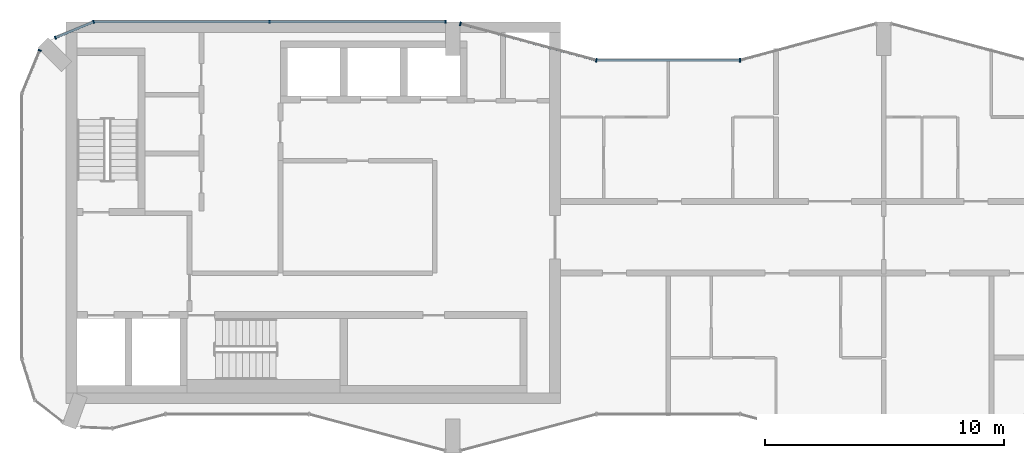
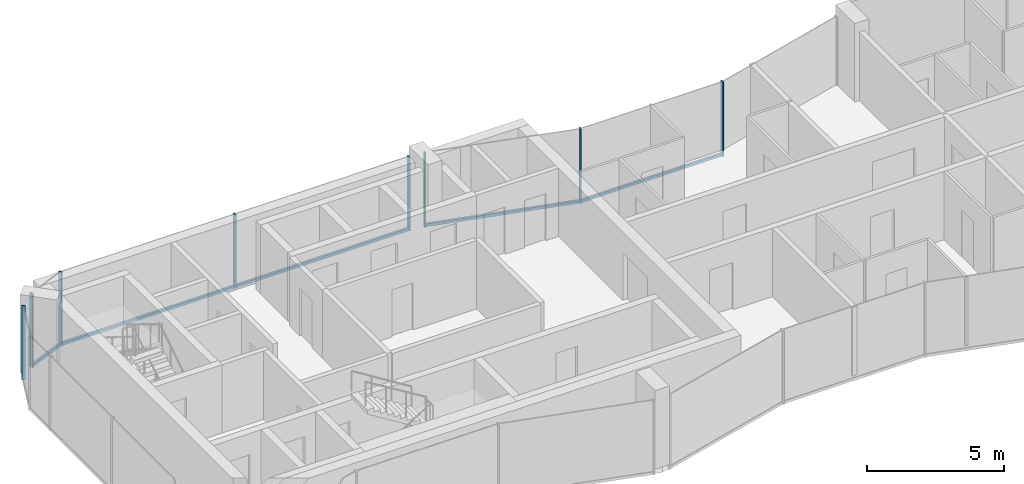
# One storey, part 4 of 10: 12 members, 5 elements without a shape of their own.
"""IFC4 building model written with IfcOpenShell, lengths in metres."""

from ifc_helpers import new_model, si_unit, direction, frame, origin, origin_2d, place, context, subcontext, project, spatial, rectangle, extrude, material, layer, layer_set, material_profile, profile_set, type_object, element, aggregate, save


model = new_model("IFC4")

# Units and contexts
model_context = context("Model", 3, precision=1e-05, world=origin(), true_north=direction((0.0, 1.0)))
body_context = subcontext(model_context, "Body", "Model", "MODEL_VIEW")
ifc_project = project(units=[si_unit("LENGTHUNIT", "METRE"), si_unit("AREAUNIT", "SQUARE_METRE"), si_unit("VOLUMEUNIT", "CUBIC_METRE"), si_unit("PLANEANGLEUNIT", "RADIAN"), si_unit("MASSUNIT", "GRAM", prefix="KILO")], contexts=[model_context])

# Site, building, storey
site_placement = place(None, origin())
site = spatial("IfcSite", under=ifc_project, at=site_placement, CompositionType="ELEMENT")
building_placement = place(site_placement, origin())
building = spatial("IfcBuilding", under=site, at=building_placement, Name="Plateau Cross Towers", CompositionType="ELEMENT")
storey_placement = place(building_placement, frame((0.0, 0.0, 284.39990234375)))
storey = spatial("IfcBuildingStorey", under=building, at=storey_placement, Name="L75", CompositionType="ELEMENT", Elevation=284.39990234375)

# Curtain wall, members
ifc_material_1 = material(Name="Dark low-iron glass", Category="glass")
ifc_layer_1 = layer(ifc_material_1, 0.239990234375)
ifc_layer_set_1 = layer_set([ifc_layer_1], Name="Dark low-iron glass")
curtain_wall_type_1 = type_object("IfcCurtainWallType", Name="Curtain wall flush unitised CW-B", PredefinedType="NOTDEFINED", material=ifc_layer_set_1)
curtain_wall_1_placement = place(storey_placement, origin())
curtain_wall_1 = element("IfcCurtainWall", 1, at=curtain_wall_1_placement, inside=storey, type_object=curtain_wall_type_1, Name="ENV/A/L75/A177_180", PredefinedType="NOTDEFINED")
ifc_material_2 = material(Name="Black anodised aluminium", Category="aluminium")
ifc_material_profile_1 = material_profile(ifc_material_2, rectangle(XDim=0.06005859375, YDim=0.139892578125, at=origin_2d()), Name="MULLION 60x140")
ifc_profile_set_1 = profile_set([ifc_material_profile_1], Name="Black anodised aluminium")
member_type_1 = type_object("IfcMemberType", Name="Mullion 60x140 flush unitised", PredefinedType="MULLION", material=ifc_profile_set_1)
member_1_placement = place(storey_placement, frame((17.699951171875, 18.0, -0.25), z_axis=(0.0, 0.0, 1.0), x_axis=(-1.0, 0.0, 0.0)))
member_1 = element("IfcMember", 2, at=member_1_placement, type_object=member_type_1, Name="CW-B mullion 1", PredefinedType="MULLION", context=body_context, shape_type="SweptSolid", body=[
    extrude(rectangle(XDim=0.06005859375, YDim=0.139892578125, at=origin_2d()), origin(), (0.0, 0.0, 1.0), 3.300048828125),
])
member_2_placement = place(storey_placement, frame((10.35009765625, 18.0, -0.25), z_axis=(0.0, 0.0, 1.0), x_axis=(-1.0, 0.0, 0.0)))
member_2 = element("IfcMember", 3, at=member_2_placement, type_object=member_type_1, Name="CW-B mullion 2", PredefinedType="MULLION", context=body_context, shape_type="SweptSolid", body=[
    extrude(rectangle(XDim=0.06005859375, YDim=0.139892578125, at=origin_2d()), origin(), (0.0, 0.0, 1.0), 3.300048828125),
])

curtain_wall_2_placement = place(storey_placement, origin())
curtain_wall_2 = element("IfcCurtainWall", 4, at=curtain_wall_2_placement, inside=storey, type_object=curtain_wall_type_1, Name="ENV/A/L75/A30_180", PredefinedType="NOTDEFINED")
member_3_placement = place(storey_placement, frame((3.0, 18.0, -0.25), z_axis=(0.0, 0.0, 1.0), x_axis=(-0.923879457699, -0.382683612978, 0.0)))
member_3 = element("IfcMember", 5, at=member_3_placement, type_object=member_type_1, Name="CW-B mullion 1", PredefinedType="MULLION", context=body_context, shape_type="SweptSolid", body=[
    extrude(rectangle(XDim=0.06005859375, YDim=0.139892578125, at=origin_2d()), origin(), (0.0, 0.0, 1.0), 3.300048828125),
])
member_4_placement = place(storey_placement, frame((1.4033203125, 17.338623046875, -0.25), z_axis=(0.0, 0.0, 1.0), x_axis=(-0.923879457699, -0.382683612978, 0.0)))
member_4 = element("IfcMember", 6, at=member_4_placement, type_object=member_type_1, Name="CW-B mullion 2", PredefinedType="MULLION", context=body_context, shape_type="SweptSolid", body=[
    extrude(rectangle(XDim=0.06005859375, YDim=0.139892578125, at=origin_2d()), origin(), (0.0, 0.0, 1.0), 3.300048828125),
])

# Curtain wall, member
curtain_wall_3_placement = place(storey_placement, origin())
curtain_wall_3 = element("IfcCurtainWall", 7, at=curtain_wall_3_placement, inside=storey, type_object=curtain_wall_type_1, Name="ENV/A/L75/A7_168", PredefinedType="NOTDEFINED")
member_5_placement = place(storey_placement, frame((0.748046875, 16.805908203125, -0.25), z_axis=(0.0, 0.0, 1.0), x_axis=(-0.382683612978, -0.923879457699, 0.0)))
member_5 = element("IfcMember", 8, at=member_5_placement, type_object=member_type_1, Name="CW-B mullion 1", PredefinedType="MULLION", context=body_context, shape_type="SweptSolid", body=[
    extrude(rectangle(XDim=0.06005859375, YDim=0.139892578125, at=origin_2d()), origin(), (0.0, 0.0, 1.0), 3.300048828125),
])
aggregate(curtain_wall_3, [member_5])

ifc_layer_2 = layer(ifc_material_1, 0.260009765625)
ifc_layer_set_2 = layer_set([ifc_layer_2], Name="Dark low-iron glass")
curtain_wall_type_2 = type_object("IfcCurtainWallType", Name="Curtain wall fluted unitised CW-A", PredefinedType="NOTDEFINED", material=ifc_layer_set_2)
curtain_wall_4_placement = place(storey_placement, origin())
curtain_wall_4 = element("IfcCurtainWall", 9, at=curtain_wall_4_placement, inside=storey, type_object=curtain_wall_type_2, Name="ENV/A/L75/A300_164", PredefinedType="NOTDEFINED")
ifc_material_profile_2 = material_profile(ifc_material_2, rectangle(XDim=0.06005859375, YDim=0.159912109375, at=origin_2d()), Name="MULLION 60x160")
ifc_profile_set_2 = profile_set([ifc_material_profile_2], Name="Black anodised aluminium")
member_type_2 = type_object("IfcMemberType", Name="Mullion 60x160 fluted unitised", PredefinedType="MULLION", material=ifc_profile_set_2)
member_6_placement = place(storey_placement, frame((30.0, 16.39306640625, -0.25), z_axis=(0.0, 0.0, 1.0), x_axis=(-1.0, 0.0, 0.0)))
member_6 = element("IfcMember", 10, at=member_6_placement, type_object=member_type_2, Name="CW-A mullion 1", PredefinedType="MULLION", context=body_context, shape_type="SweptSolid", body=[
    extrude(rectangle(XDim=0.06005859375, YDim=0.159912109375, at=origin_2d()), origin(), (0.0, 0.0, 1.0), 3.300048828125),
])

# Curtain wall, members
curtain_wall_5_placement = place(storey_placement, origin())
curtain_wall_5 = element("IfcCurtainWall", 11, at=curtain_wall_5_placement, inside=storey, type_object=curtain_wall_type_2, Name="ENV/A/L75/A240_164", PredefinedType="NOTDEFINED")
member_7_placement = place(storey_placement, frame((24.0, 16.39306640625, -0.25), z_axis=(0.0, 0.0, 1.0), x_axis=(-0.965957983404, 0.258699003279, 0.0)))
member_7 = element("IfcMember", 12, at=member_7_placement, type_object=member_type_2, Name="CW-A mullion 1", PredefinedType="MULLION", context=body_context, shape_type="SweptSolid", body=[
    extrude(rectangle(XDim=0.06005859375, YDim=0.159912109375, at=origin_2d()), origin(), (0.0, 0.0, 1.0), 3.300048828125),
])
member_8_placement = place(storey_placement, frame((18.31787109375, 17.914794921875, -0.25), z_axis=(0.0, 0.0, 1.0), x_axis=(-0.965957983404, 0.258699003279, 0.0)))
member_8 = element("IfcMember", 13, at=member_8_placement, type_object=member_type_2, Name="CW-A mullion 2", PredefinedType="MULLION", context=body_context, shape_type="SweptSolid", body=[
    extrude(rectangle(XDim=0.06005859375, YDim=0.159912109375, at=origin_2d()), origin(), (0.0, 0.0, 1.0), 3.300048828125),
])

# Member
ifc_material_profile_3 = material_profile(ifc_material_2, rectangle(XDim=0.10009765625, YDim=0.1201171875, at=origin_2d()), Name="TRANSOM 100x120")
ifc_profile_set_3 = profile_set([ifc_material_profile_3], Name="Black anodised aluminium")
member_type_3 = type_object("IfcMemberType", Name="Transom 100x120 flush unitised", PredefinedType="USERDEFINED", material=ifc_profile_set_3)
member_9_placement = place(storey_placement, frame((17.699951171875, 18.0, -0.18994140625), z_axis=(-1.0, 0.0, 0.0), x_axis=(0.0, -1.0, 0.0)))
member_9 = element("IfcMember", 14, at=member_9_placement, type_object=member_type_3, Name="CW-B transom", ObjectType="TRANSOM", PredefinedType="USERDEFINED", context=body_context, shape_type="SweptSolid", body=[
    extrude(rectangle(XDim=0.10009765625, YDim=0.1201171875, at=origin_2d()), origin(), (0.0, 0.0, 1.0), 14.699951171875),
])

aggregate(curtain_wall_1, [member_1, member_2, member_9])

member_10_placement = place(storey_placement, frame((3.0, 18.0, -0.18994140625), z_axis=(-0.923877369776, -0.382688653628, 0.0), x_axis=(0.382688653628, -0.923877369776, 0.0)))
member_10 = element("IfcMember", 15, at=member_10_placement, type_object=member_type_3, Name="CW-B transom", ObjectType="TRANSOM", PredefinedType="USERDEFINED", context=body_context, shape_type="SweptSolid", body=[
    extrude(rectangle(XDim=0.10009765625, YDim=0.1201171875, at=origin_2d()), origin(), (0.0, 0.0, 1.0), 1.728271484375),
])

aggregate(curtain_wall_2, [member_3, member_4, member_10])

ifc_material_profile_4 = material_profile(ifc_material_2, rectangle(XDim=0.10009765625, YDim=0.1201171875, at=origin_2d()), Name="TRANSOM 100x120")
ifc_profile_set_4 = profile_set([ifc_material_profile_4], Name="Black anodised aluminium")
member_type_4 = type_object("IfcMemberType", Name="Transom 100x120 fluted unitised", PredefinedType="USERDEFINED", material=ifc_profile_set_4)
member_11_placement = place(storey_placement, frame((30.0, 16.39306640625, -0.18994140625), z_axis=(-1.0, 0.0, 0.0), x_axis=(0.0, -1.0, 0.0)))
member_11 = element("IfcMember", 16, at=member_11_placement, type_object=member_type_4, Name="CW-A transom", ObjectType="TRANSOM", PredefinedType="USERDEFINED", context=body_context, shape_type="SweptSolid", body=[
    extrude(rectangle(XDim=0.10009765625, YDim=0.1201171875, at=origin_2d()), origin(), (0.0, 0.0, 1.0), 6.0),
])

aggregate(curtain_wall_4, [member_6, member_11])

member_12_placement = place(storey_placement, frame((24.0, 16.39306640625, -0.18994140625), z_axis=(-0.965959534794, 0.258693210465, 0.0), x_axis=(-0.258693210465, -0.965959534794, 0.0)))
member_12 = element("IfcMember", 17, at=member_12_placement, type_object=member_type_4, Name="CW-A transom", ObjectType="TRANSOM", PredefinedType="USERDEFINED", context=body_context, shape_type="SweptSolid", body=[
    extrude(rectangle(XDim=0.10009765625, YDim=0.1201171875, at=origin_2d()), origin(), (0.0, 0.0, 1.0), 5.88232421875),
])

aggregate(curtain_wall_5, [member_7, member_8, member_12])

save(model, "model.ifc")
